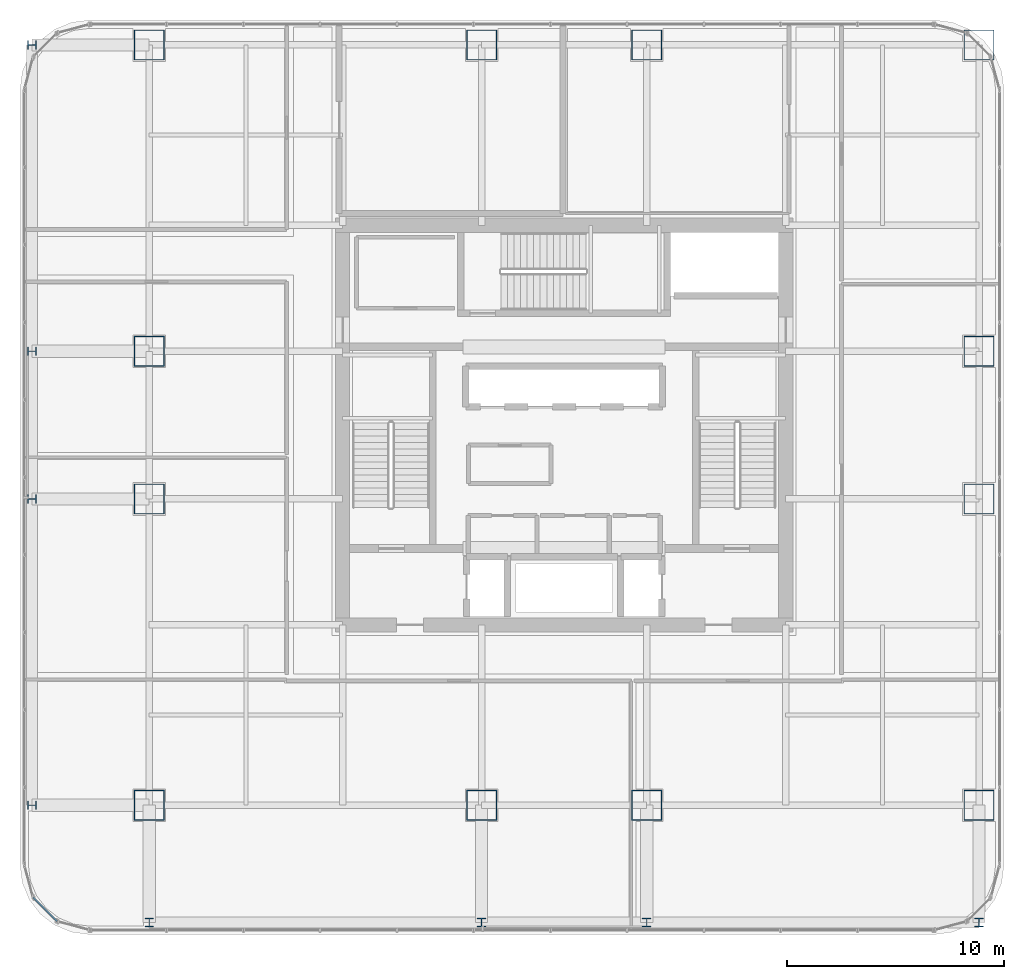
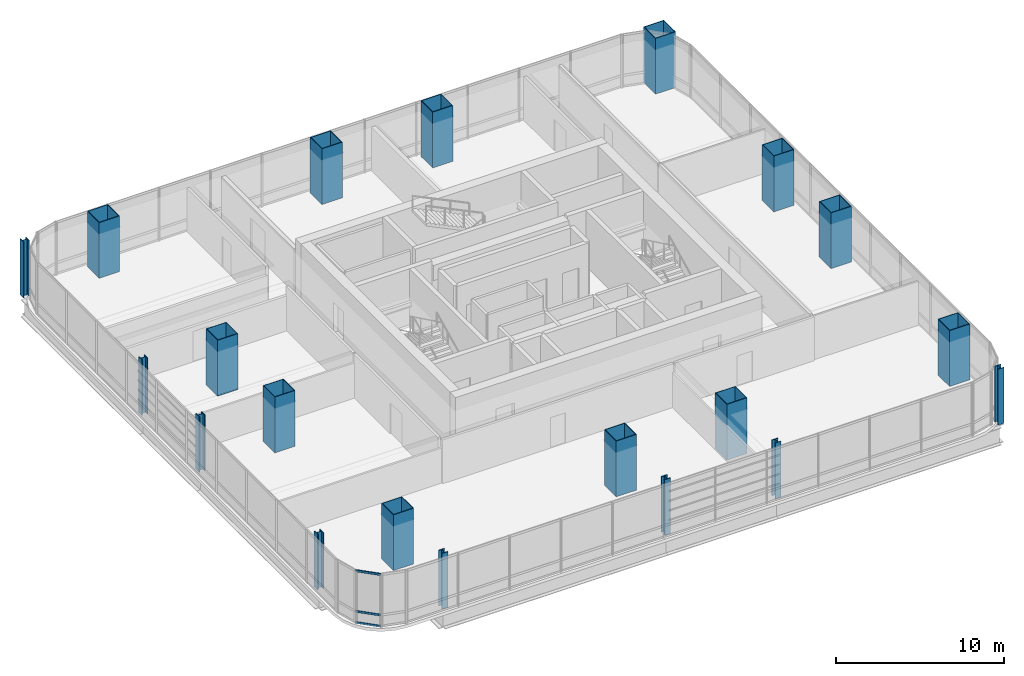
# One storey, part 1 of 36: 20 columns, 3 members, 1 element without a shape of its own.
"""IFC4 building model written with IfcOpenShell, lengths in metres."""

from ifc_helpers import new_model, si_unit, direction, frame, origin, origin_2d, place, context, subcontext, project, spatial, hollow_rectangle, i_section, extrude, material, material_profile, profile_set, type_object, element, aggregate, save


model = new_model("IFC4")

# Units and contexts
model_context = context("Model", 3, precision=1e-05, world=origin(), true_north=direction((0.0, 1.0)))
body_context = subcontext(model_context, "Body", "Model", "MODEL_VIEW")
ifc_project = project(units=[si_unit("LENGTHUNIT", "METRE"), si_unit("AREAUNIT", "SQUARE_METRE"), si_unit("VOLUMEUNIT", "CUBIC_METRE"), si_unit("PLANEANGLEUNIT", "RADIAN"), si_unit("MASSUNIT", "GRAM", prefix="KILO")], contexts=[model_context])

# Site, building, storey
site_placement = place(None, origin())
site = spatial("IfcSite", under=ifc_project, at=site_placement, CompositionType="ELEMENT")
building_placement = place(site_placement, origin())
building = spatial("IfcBuilding", under=site, at=building_placement, Name="Punatoya Terracotta Tower", CompositionType="ELEMENT")
storey_placement = place(building_placement, frame((0.0, 0.0, 176.25)))
storey = spatial("IfcBuildingStorey", under=building, at=storey_placement, Name="L41", CompositionType="ELEMENT", Elevation=176.25)

# Columns
ifc_material_1 = material(Name="Steel S460", Category="steel")
ifc_material_profile_1 = material_profile(ifc_material_1, i_section(OverallWidth=0.408935546875, OverallDepth=0.425048828125, WebThickness=0.031982421875, FlangeThickness=0.052001953125, FilletRadius=0.01806640625, at=origin_2d()))
ifc_profile_set_1 = profile_set([ifc_material_profile_1], Name="Steel S460")
column_type_1 = type_object("IfcColumnType", Name="COL-EX-M2", PredefinedType="COLUMN", material=ifc_profile_set_1)
for number, where, z_axis, x_axis, name in (
    (1, (-19.10009765625, -22.89990234375, 0.0), (0.0, 0.0, 1.0), (1.0, 0.0, 0.0), "L41 Exoskeleton Perimeter Column S1"),
    (2, (-3.800048828125, -22.89990234375, 0.0), (0.0, 0.0, 1.0), (1.0, 0.0, 0.0), "L41 Exoskeleton Perimeter Column S2"),
    (3, (3.800048828125, -22.89990234375, 0.0), (0.0, 0.0, 1.0), (1.0, 0.0, 0.0), "L41 Exoskeleton Perimeter Column S3"),
    (4, (19.10009765625, -22.89990234375, 0.0), (0.0, 0.0, 1.0), (1.0, 0.0, 0.0), "L41 Exoskeleton Perimeter Column S4"),
    (5, (-24.5, -17.5, 0.0), (0.0, 0.0, 1.0), (0.0, 1.0, 0.0), "L41 Exoskeleton Perimeter Column W1"),
    (6, (-24.5, -3.39990234375, 0.0), (0.0, 0.0, 1.0), (0.0, 1.0, 0.0), "L41 Exoskeleton Perimeter Column W2"),
    (7, (-24.5, 3.39990234375, 0.0), (0.0, 0.0, 1.0), (0.0, 1.0, 0.0), "L41 Exoskeleton Perimeter Column W3"),
    (8, (-24.5, 17.5, 0.0), (0.0, 0.0, 1.0), (0.0, 1.0, 0.0), "L41 Exoskeleton Perimeter Column W4"),
):
    element("IfcColumn", number, at=place(storey_placement, frame(where, z_axis=z_axis, x_axis=x_axis)), inside=storey, type_object=column_type_1, Name=name, PredefinedType="COLUMN", context=body_context, shape_type="SweptSolid", body=[
        extrude(i_section(OverallWidth=0.408935546875, OverallDepth=0.425048828125, WebThickness=0.031982421875, FlangeThickness=0.052001953125, FilletRadius=0.01806640625, at=origin_2d()), origin(), (0.0, 0.0, 1.0), 4.048095703125),
    ])
ifc_material_profile_2 = material_profile(ifc_material_1, hollow_rectangle(XDim=1.39990234375, YDim=1.39990234375, WallThickness=0.0419921875, at=origin_2d()))
ifc_profile_set_2 = profile_set([ifc_material_profile_2], Name="Steel S460")
column_type_2 = type_object("IfcColumnType", Name="COL-MC-Z2", PredefinedType="COLUMN", material=ifc_profile_set_2)
for number, where, z_axis, x_axis, name in (
    (9, (-19.10009765625, -17.5, 0.0), (0.0, 0.0, 1.0), (1.0, 0.0, 0.0), "L41 Composite Mega-Column MC-01 (3-B)"),
    (10, (-3.800048828125, -17.5, 0.0), (0.0, 0.0, 1.0), (1.0, 0.0, 0.0), "L41 Composite Mega-Column MC-02 (5-B)"),
    (11, (3.800048828125, -17.5, 0.0), (0.0, 0.0, 1.0), (1.0, 0.0, 0.0), "L41 Composite Mega-Column MC-03 (7-B)"),
    (12, (19.10009765625, -17.5, 0.0), (0.0, 0.0, 1.0), (1.0, 0.0, 0.0), "L41 Composite Mega-Column MC-04 (9-B)"),
    (13, (19.10009765625, -3.39990234375, 0.0), (0.0, 0.0, 1.0), (1.0, 0.0, 0.0), "L41 Composite Mega-Column MC-05 (9-D)"),
    (14, (19.10009765625, 3.39990234375, 0.0), (0.0, 0.0, 1.0), (1.0, 0.0, 0.0), "L41 Composite Mega-Column MC-06 (9-E)"),
    (15, (19.10009765625, 17.5, 0.0), (0.0, 0.0, 1.0), (1.0, 0.0, 0.0), "L41 Composite Mega-Column MC-07 (9-G)"),
    (16, (3.800048828125, 17.5, 0.0), (0.0, 0.0, 1.0), (1.0, 0.0, 0.0), "L41 Composite Mega-Column MC-08 (7-G)"),
    (17, (-3.800048828125, 17.5, 0.0), (0.0, 0.0, 1.0), (1.0, 0.0, 0.0), "L41 Composite Mega-Column MC-09 (5-G)"),
    (18, (-19.10009765625, 17.5, 0.0), (0.0, 0.0, 1.0), (1.0, 0.0, 0.0), "L41 Composite Mega-Column MC-10 (3-G)"),
    (19, (-19.10009765625, 3.39990234375, 0.0), (0.0, 0.0, 1.0), (1.0, 0.0, 0.0), "L41 Composite Mega-Column MC-11 (3-E)"),
    (20, (-19.10009765625, -3.39990234375, 0.0), (0.0, 0.0, 1.0), (1.0, 0.0, 0.0), "L41 Composite Mega-Column MC-12 (3-D)"),
):
    element("IfcColumn", number, at=place(storey_placement, frame(where, z_axis=z_axis, x_axis=x_axis)), inside=storey, type_object=column_type_2, Name=name, PredefinedType="COLUMN", context=body_context, shape_type="SweptSolid", body=[
        extrude(hollow_rectangle(XDim=1.39990234375, YDim=1.39990234375, WallThickness=0.0419921875, at=origin_2d()), origin(), (0.0, 0.0, 1.0), 4.050048828125),
    ])

# Curtain wall, members
ifc_material_2 = material(Name="Aluminium 6063-T6 + Double Low-E Glass", Category="aluminium")
curtain_wall_type = type_object("IfcCurtainWallType", Name="CW-M2", PredefinedType="NOTDEFINED", material=ifc_material_2)
curtain_wall_placement = place(storey_placement, origin())
curtain_wall = element("IfcCurtainWall", 21, at=curtain_wall_placement, inside=storey, type_object=curtain_wall_type, Name="L41 Curtain Wall CW-L41-CRN15", PredefinedType="NOTDEFINED")
ifc_material_3 = material(Name="Aluminium 6063-T6", Category="aluminium")
ifc_material_profile_3 = material_profile(ifc_material_3, hollow_rectangle(XDim=0.068115234375, YDim=0.14990234375, WallThickness=0.00390625, at=origin_2d()))
ifc_profile_set_3 = profile_set([ifc_material_profile_3], Name="Aluminium 6063-T6")
member_type = type_object("IfcMemberType", Name="CW-TRN-TYP", PredefinedType="USERDEFINED", material=ifc_profile_set_3)
member_1_placement = place(storey_placement, frame((-24.446533203125, -21.7490234375, 0.0400390625), z_axis=(0.707028130747, -0.707185422879, 0.0), x_axis=(0.707185422879, 0.707028130747, 0.0)))
member_1 = element("IfcMember", 22, at=member_1_placement, type_object=member_type, Name="CW-L41-CRN15 Transom 1", ObjectType="TRANSOM", PredefinedType="USERDEFINED", context=body_context, shape_type="SweptSolid", body=[
    extrude(hollow_rectangle(XDim=0.068115234375, YDim=0.14990234375, WallThickness=0.00390625, at=origin_2d()), origin(), (0.0, 0.0, 1.0), 1.55224609375),
])
member_2_placement = place(storey_placement, frame((-24.446533203125, -21.7490234375, 0.85009765625), z_axis=(0.707028130747, -0.707185422879, 0.0), x_axis=(0.707185422879, 0.707028130747, 0.0)))
member_2 = element("IfcMember", 23, at=member_2_placement, type_object=member_type, Name="CW-L41-CRN15 Transom 2", ObjectType="TRANSOM", PredefinedType="USERDEFINED", context=body_context, shape_type="SweptSolid", body=[
    extrude(hollow_rectangle(XDim=0.068115234375, YDim=0.14990234375, WallThickness=0.00390625, at=origin_2d()), origin(), (0.0, 0.0, 1.0), 1.55224609375),
])
member_3_placement = place(storey_placement, frame((-24.446533203125, -21.7490234375, 3.7900390625), z_axis=(0.707028130747, -0.707185422879, 0.0), x_axis=(0.707185422879, 0.707028130747, 0.0)))
member_3 = element("IfcMember", 24, at=member_3_placement, type_object=member_type, Name="CW-L41-CRN15 Transom 3", ObjectType="TRANSOM", PredefinedType="USERDEFINED", context=body_context, shape_type="SweptSolid", body=[
    extrude(hollow_rectangle(XDim=0.068115234375, YDim=0.14990234375, WallThickness=0.00390625, at=origin_2d()), origin(), (0.0, 0.0, 1.0), 1.55224609375),
])
aggregate(curtain_wall, [member_1, member_2, member_3])

save(model, "model.ifc")
